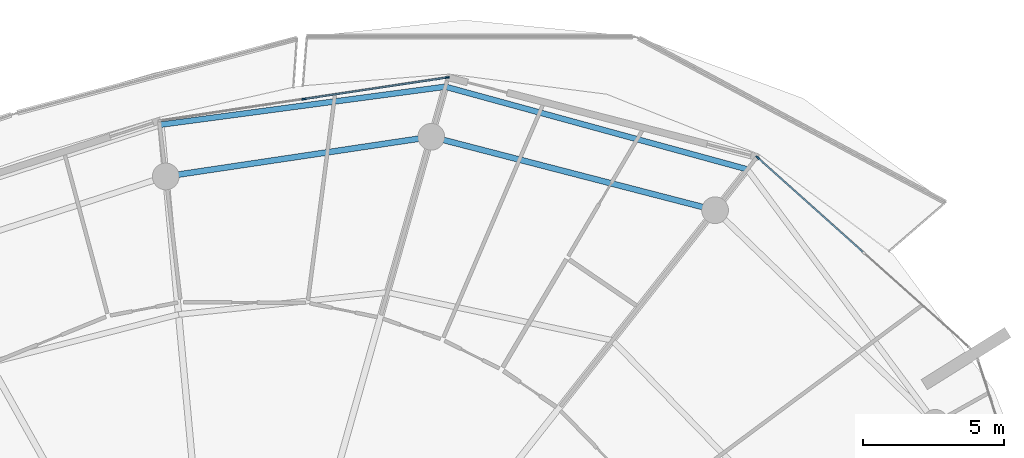
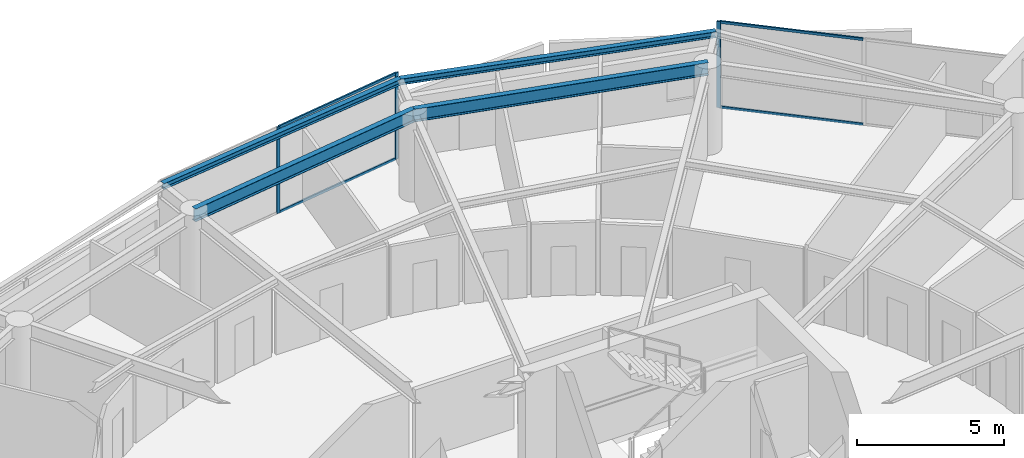
# One storey, part 16 of 30: 7 members, 4 beams, 2 elements without a shape of their own.
"""IFC4 building model written with IfcOpenShell, lengths in metres."""

from ifc_helpers import new_model, si_unit, direction, frame, origin, origin_2d, place, context, subcontext, project, spatial, rectangle, i_section, extrude, material, layer, layer_set, material_profile, profile_set, type_object, element, aggregate, save


model = new_model("IFC4")

# Units and contexts
model_context = context("Model", 3, precision=1e-05, world=origin(), true_north=direction((0.0, 1.0)))
body_context = subcontext(model_context, "Body", "Model", "MODEL_VIEW")
ifc_project = project(units=[si_unit("LENGTHUNIT", "METRE"), si_unit("AREAUNIT", "SQUARE_METRE"), si_unit("VOLUMEUNIT", "CUBIC_METRE"), si_unit("PLANEANGLEUNIT", "RADIAN"), si_unit("MASSUNIT", "GRAM", prefix="KILO")], contexts=[model_context])

# Site, building, storey
site_placement = place(None, origin())
site = spatial("IfcSite", under=ifc_project, at=site_placement, CompositionType="ELEMENT")
building_placement = place(site_placement, origin())
building = spatial("IfcBuilding", under=site, at=building_placement, Name="Kazma Halo Residences", CompositionType="ELEMENT")
storey_placement = place(building_placement, frame((0.0, 0.0, 294.449951171875)))
storey = spatial("IfcBuildingStorey", under=building, at=storey_placement, Name="L74", CompositionType="ELEMENT", Elevation=294.449951171875)

# Beams
ifc_material_1 = material(Name="Steel S355", Category="steel")
ifc_material_profile_1 = material_profile(ifc_material_1, i_section(OverallWidth=0.201904296875, OverallDepth=0.2470703125, WebThickness=0.00732421875, FlangeThickness=0.010986328125, FilletRadius=0.011962890625, at=origin_2d()), Name="W250x49.1")
ifc_profile_set_1 = profile_set([ifc_material_profile_1], Name="Steel S355")
beam_type_1 = type_object("IfcBeamType", Name="BM-BAL-CANT", PredefinedType="BEAM", material=ifc_profile_set_1)
beam_1_placement = place(storey_placement, frame((65.992431640625, 64.823486328125, 3.466552734375), z_axis=(-0.964514665976, 0.264029277006, 0.0), x_axis=(-0.264029277006, -0.964514665976, 0.0)))
element("IfcBeam", 1, at=beam_1_placement, inside=storey, type_object=beam_type_1, Name="L74 wave-balcony tie beam 02", PredefinedType="BEAM", context=body_context, shape_type="SweptSolid", body=[
    extrude(i_section(OverallWidth=0.201904296875, OverallDepth=0.2470703125, WebThickness=0.00732421875, FlangeThickness=0.010986328125, FilletRadius=0.011962890625, at=origin_2d()), origin(), (0.0, 0.0, 1.0), 11.1220703125),
])
beam_2_placement = place(storey_placement, frame((55.26513671875, 67.760009765625, 3.466552734375), z_axis=(-0.991234590706, -0.132113535217, 0.0), x_axis=(0.132113535217, -0.991234590706, 0.0)))
element("IfcBeam", 2, at=beam_2_placement, inside=storey, type_object=beam_type_1, Name="L74 wave-balcony tie beam 03", PredefinedType="BEAM", context=body_context, shape_type="SweptSolid", body=[
    extrude(i_section(OverallWidth=0.201904296875, OverallDepth=0.2470703125, WebThickness=0.00732421875, FlangeThickness=0.010986328125, FilletRadius=0.011962890625, at=origin_2d()), origin(), (0.0, 0.0, 1.0), 10.197021484375),
])
ifc_material_profile_2 = material_profile(ifc_material_1, i_section(OverallWidth=0.208984375, OverallDepth=0.532958984375, WebThickness=0.01025390625, FlangeThickness=0.015625, FilletRadius=0.01611328125, at=origin_2d()), Name="W530x92")
ifc_profile_set_2 = profile_set([ifc_material_profile_2], Name="Steel S355")
beam_type_2 = type_object("IfcBeamType", Name="BM-SPN-W530", PredefinedType="BEAM", material=ifc_profile_set_2)
beam_3_placement = place(storey_placement, frame((64.84716796875, 63.37060546875, 3.323486328125), z_axis=(-0.968126042852, 0.250463500639, 0.0), x_axis=(-0.250463500639, -0.968126042852, 0.0)))
element("IfcBeam", 3, at=beam_3_placement, inside=storey, type_object=beam_type_2, Name="L74 perimeter ring beam 02", PredefinedType="BEAM", context=body_context, shape_type="SweptSolid", body=[
    extrude(i_section(OverallWidth=0.208984375, OverallDepth=0.532958984375, WebThickness=0.01025390625, FlangeThickness=0.015625, FilletRadius=0.01611328125, at=origin_2d()), origin(), (0.0, 0.0, 1.0), 10.416259765625),
])
beam_4_placement = place(storey_placement, frame((54.762939453125, 65.9794921875, 3.323486328125), z_axis=(-0.989035441627, -0.147678350495, 0.0), x_axis=(0.147678350495, -0.989035441627, 0.0)))
element("IfcBeam", 4, at=beam_4_placement, inside=storey, type_object=beam_type_2, Name="L74 perimeter ring beam 03", PredefinedType="BEAM", context=body_context, shape_type="SweptSolid", body=[
    extrude(i_section(OverallWidth=0.208984375, OverallDepth=0.532958984375, WebThickness=0.01025390625, FlangeThickness=0.015625, FilletRadius=0.01611328125, at=origin_2d()), origin(), (0.0, 0.0, 1.0), 9.538818359375),
])

# Curtain wall, member
ifc_material_2 = material(Name="Aluminium AW-6063 T6 and Triple-Silver Low-E Glass", Category="aluminium")
ifc_layer = layer(ifc_material_2, 0.139892578125)
ifc_layer_set = layer_set([ifc_layer], Name="Aluminium AW-6063 T6 and Triple-Silver Low-E Glass")
curtain_wall_type = type_object("IfcCurtainWallType", Name="CW-SYS-5", PredefinedType="NOTDEFINED", material=ifc_layer_set)
curtain_wall_1_placement = place(storey_placement, origin())
curtain_wall_1 = element("IfcCurtainWall", 5, at=curtain_wall_1_placement, inside=storey, type_object=curtain_wall_type, Name="L74 unitised curtain wall B01", PredefinedType="NOTDEFINED")
ifc_material_3 = material(Name="Aluminium AW-6063 T6", Category="aluminium")
ifc_material_profile_3 = material_profile(ifc_material_3, rectangle(XDim=0.06005859375, YDim=0.139892578125, at=origin_2d()), Name="CWM-60x140")
ifc_profile_set_3 = profile_set([ifc_material_profile_3], Name="Aluminium AW-6063 T6")
member_type_1 = type_object("IfcMemberType", Name="CW-SYS-5-MUL", PredefinedType="MULLION", material=ifc_profile_set_3)
member_1_placement = place(storey_placement, frame((66.3603515625, 65.241455078125, 0.0), z_axis=(0.0, 0.0, 1.0), x_axis=(-0.667804826958, -0.744336424671, 0.0)))
member_1 = element("IfcMember", 6, at=member_1_placement, type_object=member_type_1, Name="CWS-5 mullion 3", PredefinedType="MULLION", context=body_context, shape_type="SweptSolid", body=[
    extrude(rectangle(XDim=0.06005859375, YDim=0.139892578125, at=origin_2d()), origin(), (0.0, 0.0, 1.0), 3.590087890625),
])

# Curtain wall, members
curtain_wall_2_placement = place(storey_placement, origin())
curtain_wall_2 = element("IfcCurtainWall", 7, at=curtain_wall_2_placement, inside=storey, type_object=curtain_wall_type, Name="L74 unitised curtain wall B03", PredefinedType="NOTDEFINED")
member_2_placement = place(storey_placement, frame((55.328857421875, 68.087158203125, 0.0), z_axis=(0.0, 0.0, 1.0), x_axis=(0.148697080374, -0.988882792998, 0.0)))
member_2 = element("IfcMember", 8, at=member_2_placement, type_object=member_type_1, Name="CWS-5 mullion 1", PredefinedType="MULLION", context=body_context, shape_type="SweptSolid", body=[
    extrude(rectangle(XDim=0.06005859375, YDim=0.139892578125, at=origin_2d()), origin(), (0.0, 0.0, 1.0), 3.590087890625),
])
member_3_placement = place(storey_placement, frame((50.2265625, 67.320068359375, 0.0), z_axis=(0.0, 0.0, 1.0), x_axis=(0.148697080374, -0.988882792998, 0.0)))
member_3 = element("IfcMember", 9, at=member_3_placement, type_object=member_type_1, Name="CWS-5 mullion 2", PredefinedType="MULLION", context=body_context, shape_type="SweptSolid", body=[
    extrude(rectangle(XDim=0.06005859375, YDim=0.139892578125, at=origin_2d()), origin(), (0.0, 0.0, 1.0), 3.590087890625),
])

# Member
ifc_material_profile_4 = material_profile(ifc_material_3, rectangle(XDim=0.06005859375, YDim=0.10498046875, at=origin_2d()), Name="CWT-60x105")
ifc_profile_set_4 = profile_set([ifc_material_profile_4], Name="Aluminium AW-6063 T6")
member_type_2 = type_object("IfcMemberType", Name="CW-SYS-5-TRN", PredefinedType="USERDEFINED", material=ifc_profile_set_4)
member_4_placement = place(storey_placement, frame((70.099609375, 61.88671875, 0.030029296875), z_axis=(-0.744350700793, 0.667788914425, 0.0), x_axis=(-0.667788914425, -0.744350700793, 0.0)))
member_4 = element("IfcMember", 10, at=member_4_placement, type_object=member_type_2, Name="CWS-5 transom 2.1", ObjectType="TRANSOM", PredefinedType="USERDEFINED", context=body_context, shape_type="SweptSolid", body=[
    extrude(rectangle(XDim=0.06005859375, YDim=0.10498046875, at=origin_2d()), origin(), (0.0, 0.0, 1.0), 4.99365234375),
])

member_5_placement = place(storey_placement, frame((70.099609375, 61.88671875, 3.56005859375), z_axis=(-0.744350700793, 0.667788914425, 0.0), x_axis=(-0.667788914425, -0.744350700793, 0.0)))
member_5 = element("IfcMember", 11, at=member_5_placement, type_object=member_type_2, Name="CWS-5 transom 2.2", ObjectType="TRANSOM", PredefinedType="USERDEFINED", context=body_context, shape_type="SweptSolid", body=[
    extrude(rectangle(XDim=0.06005859375, YDim=0.10498046875, at=origin_2d()), origin(), (0.0, 0.0, 1.0), 4.99365234375),
])

aggregate(curtain_wall_1, [member_1, member_4, member_5])

member_6_placement = place(storey_placement, frame((55.29931640625, 68.082763671875, 0.030029296875), z_axis=(-0.988883972013, -0.148689239341, 0.0), x_axis=(0.148689239341, -0.988883972013, 0.0)))
member_6 = element("IfcMember", 12, at=member_6_placement, type_object=member_type_2, Name="CWS-5 transom 1.1", ObjectType="TRANSOM", PredefinedType="USERDEFINED", context=body_context, shape_type="SweptSolid", body=[
    extrude(rectangle(XDim=0.06005859375, YDim=0.10498046875, at=origin_2d()), origin(), (0.0, 0.0, 1.0), 5.099853515625),
])

member_7_placement = place(storey_placement, frame((55.29931640625, 68.082763671875, 3.56005859375), z_axis=(-0.988883972013, -0.148689239341, 0.0), x_axis=(0.148689239341, -0.988883972013, 0.0)))
member_7 = element("IfcMember", 13, at=member_7_placement, type_object=member_type_2, Name="CWS-5 transom 1.2", ObjectType="TRANSOM", PredefinedType="USERDEFINED", context=body_context, shape_type="SweptSolid", body=[
    extrude(rectangle(XDim=0.06005859375, YDim=0.10498046875, at=origin_2d()), origin(), (0.0, 0.0, 1.0), 5.099853515625),
])

aggregate(curtain_wall_2, [member_2, member_3, member_6, member_7])

save(model, "model.ifc")
